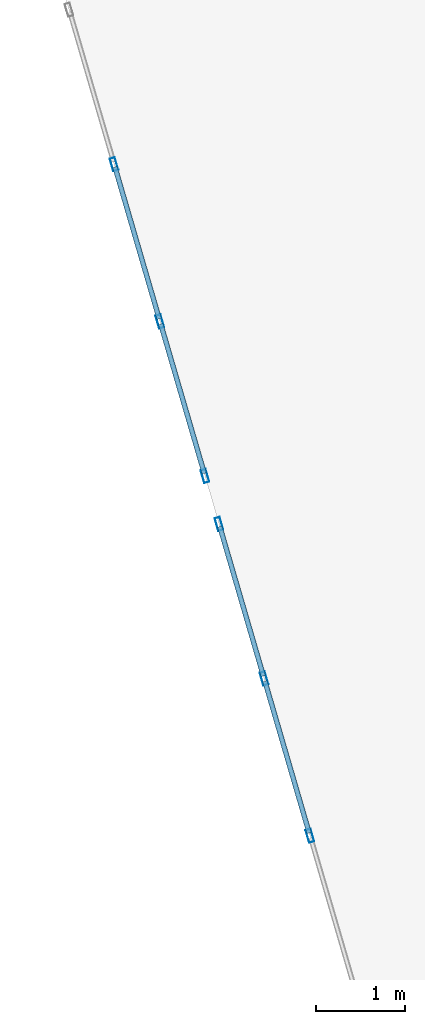
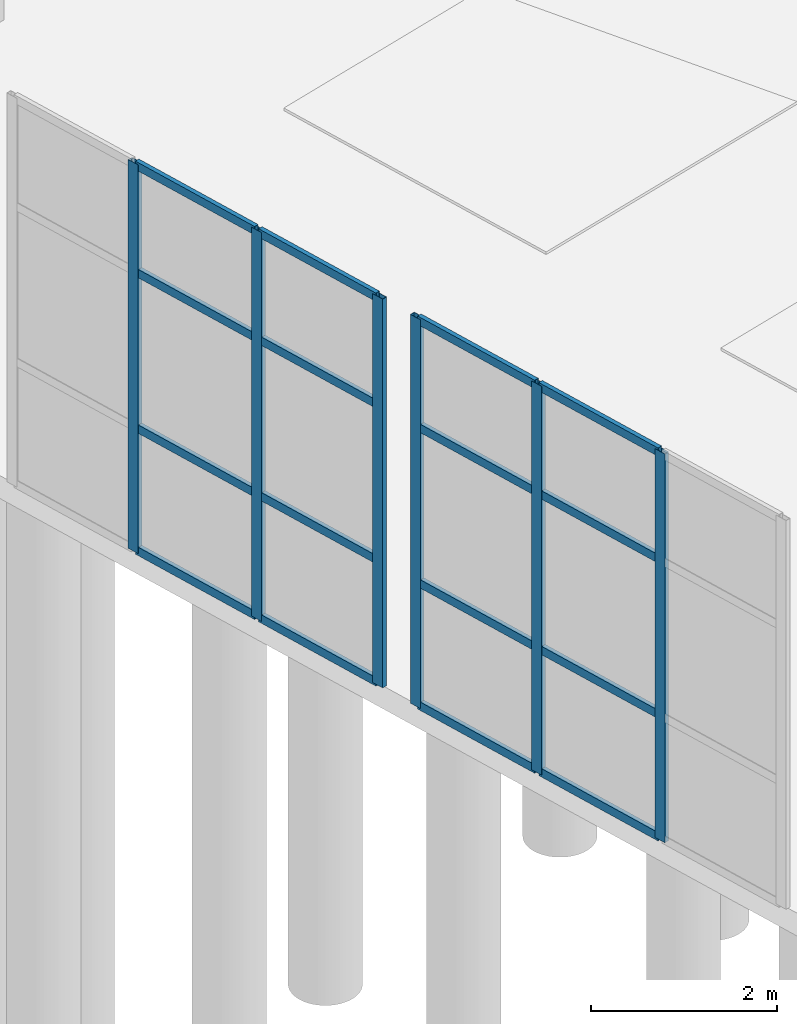
# One storey, part 27 of 90: 22 members, 2 elements without a shape of their own.
"""IFC4 building model written with IfcOpenShell, lengths in metres."""

from ifc_helpers import new_model, si_unit, direction, frame, origin, origin_2d, place, context, subcontext, project, spatial, hollow_rectangle, extrude, material, layer, layer_set, material_profile, profile_set, type_object, element, aggregate, save


model = new_model("IFC4")

# Units and contexts
model_context = context("Model", 3, precision=1e-05, world=origin(), true_north=direction((0.0, 1.0)))
body_context = subcontext(model_context, "Body", "Model", "MODEL_VIEW")
ifc_project = project(units=[si_unit("LENGTHUNIT", "METRE"), si_unit("AREAUNIT", "SQUARE_METRE"), si_unit("VOLUMEUNIT", "CUBIC_METRE"), si_unit("PLANEANGLEUNIT", "RADIAN"), si_unit("MASSUNIT", "GRAM", prefix="KILO")], contexts=[model_context])

# Site, building, storey
site_placement = place(None, origin())
site = spatial("IfcSite", under=ifc_project, at=site_placement, CompositionType="ELEMENT")
building_placement = place(site_placement, origin())
building = spatial("IfcBuilding", under=site, at=building_placement, Name="Canggui Botanical Conservatory", CompositionType="ELEMENT")
storey_placement = place(building_placement, origin())
storey = spatial("IfcBuildingStorey", under=building, at=storey_placement, Name="L01", CompositionType="ELEMENT", Elevation=0.0)

# Curtain wall, members
ifc_material = material(Name="Thermally Broken Aluminium", Category="aluminium")
ifc_layer = layer(ifc_material, 0.14990234375, Name="Thermally Broken Aluminium", Category="aluminium")
ifc_layer_set = layer_set([ifc_layer], Name="Thermally Broken Aluminium")
curtain_wall_type = type_object("IfcCurtainWallType", Name="CW-UNIT-C", PredefinedType="USERDEFINED", material=ifc_layer_set)
curtain_wall_1_placement = place(storey_placement, origin())
curtain_wall_1 = element("IfcCurtainWall", 1, at=curtain_wall_1_placement, inside=storey, type_object=curtain_wall_type, Name="Facade Curtain Wall CW-CONS-GABLE-S-02", ObjectType="UNITISED CURTAIN WALL", PredefinedType="USERDEFINED")
ifc_material_profile_1 = material_profile(ifc_material, hollow_rectangle(XDim=0.06005859375, YDim=0.14990234375, WallThickness=0.00341796875, at=origin_2d()), Name="CWM 60x150x3.5")
ifc_profile_set_1 = profile_set([ifc_material_profile_1], Name="Thermally Broken Aluminium")
member_type_1 = type_object("IfcMemberType", Name="CWM-03", PredefinedType="MULLION", material=ifc_profile_set_1)
member_1_placement = place(storey_placement, frame((17.736572265625, 49.760009765625, 0.0), z_axis=(0.0, 0.0, 1.0), x_axis=(-0.960000000002, -0.279999999995, 0.0)))
member_1 = element("IfcMember", 2, at=member_1_placement, type_object=member_type_1, Name="CW-03 mullion 2", PredefinedType="MULLION", context=body_context, shape_type="SweptSolid", body=[
    extrude(hollow_rectangle(XDim=0.06005859375, YDim=0.14990234375, WallThickness=0.00341796875, at=origin_2d()), origin(), (0.0, 0.0, 1.0), 5.10009765625),
])
member_2_placement = place(storey_placement, frame((17.223388671875, 51.52001953125, 0.0), z_axis=(0.0, 0.0, 1.0), x_axis=(-0.960000000002, -0.279999999995, 0.0)))
member_2 = element("IfcMember", 3, at=member_2_placement, type_object=member_type_1, Name="CW-03 mullion 3", PredefinedType="MULLION", context=body_context, shape_type="SweptSolid", body=[
    extrude(hollow_rectangle(XDim=0.06005859375, YDim=0.14990234375, WallThickness=0.00341796875, at=origin_2d()), origin(), (0.0, 0.0, 1.0), 5.10009765625),
])
member_3_placement = place(storey_placement, frame((16.718505859375, 53.251220703125, 0.0), z_axis=(0.0, 0.0, 1.0), x_axis=(-0.960000000002, -0.279999999995, 0.0)))
member_3 = element("IfcMember", 4, at=member_3_placement, type_object=member_type_1, Name="CW-03 mullion 4", PredefinedType="MULLION", context=body_context, shape_type="SweptSolid", body=[
    extrude(hollow_rectangle(XDim=0.06005859375, YDim=0.14990234375, WallThickness=0.00341796875, at=origin_2d()), origin(), (0.0, 0.0, 1.0), 5.10009765625),
])

curtain_wall_2_placement = place(storey_placement, origin())
curtain_wall_2 = element("IfcCurtainWall", 5, at=curtain_wall_2_placement, inside=storey, type_object=curtain_wall_type, Name="Facade Curtain Wall CW-CONS-GABLE-S-03", ObjectType="UNITISED CURTAIN WALL", PredefinedType="USERDEFINED")
member_4_placement = place(storey_placement, frame((16.5615234375, 53.788818359375, 0.0), z_axis=(0.0, 0.0, 1.0), x_axis=(-0.960000000002, -0.279999999995, 0.0)))
member_4 = element("IfcMember", 6, at=member_4_placement, type_object=member_type_1, Name="CW-03 mullion 1", PredefinedType="MULLION", context=body_context, shape_type="SweptSolid", body=[
    extrude(hollow_rectangle(XDim=0.06005859375, YDim=0.14990234375, WallThickness=0.00341796875, at=origin_2d()), origin(), (0.0, 0.0, 1.0), 5.10009765625),
])
member_5_placement = place(storey_placement, frame((16.056640625, 55.52001953125, 0.0), z_axis=(0.0, 0.0, 1.0), x_axis=(-0.960000000002, -0.279999999995, 0.0)))
member_5 = element("IfcMember", 7, at=member_5_placement, type_object=member_type_1, Name="CW-03 mullion 2", PredefinedType="MULLION", context=body_context, shape_type="SweptSolid", body=[
    extrude(hollow_rectangle(XDim=0.06005859375, YDim=0.14990234375, WallThickness=0.00341796875, at=origin_2d()), origin(), (0.0, 0.0, 1.0), 5.10009765625),
])
member_6_placement = place(storey_placement, frame((15.543212890625, 57.280029296875, 0.0), z_axis=(0.0, 0.0, 1.0), x_axis=(-0.960000000002, -0.279999999995, 0.0)))
member_6 = element("IfcMember", 8, at=member_6_placement, type_object=member_type_1, Name="CW-03 mullion 3", PredefinedType="MULLION", context=body_context, shape_type="SweptSolid", body=[
    extrude(hollow_rectangle(XDim=0.06005859375, YDim=0.14990234375, WallThickness=0.00341796875, at=origin_2d()), origin(), (0.0, 0.0, 1.0), 5.10009765625),
])

# Member
ifc_material_profile_2 = material_profile(ifc_material, hollow_rectangle(XDim=0.054931640625, YDim=0.110107421875, WallThickness=0.0029296875, at=origin_2d()), Name="CWT 55x110x3")
ifc_profile_set_2 = profile_set([ifc_material_profile_2], Name="Thermally Broken Aluminium")
member_type_2 = type_object("IfcMemberType", Name="CWT-03", PredefinedType="USERDEFINED", material=ifc_profile_set_2)
member_7_placement = place(storey_placement, frame((17.728271484375, 49.788818359375, 0.027587890625), z_axis=(-0.280026433067, 0.95999228996, 0.0), x_axis=(-0.95999228996, -0.280026433067, 0.0)))
member_7 = element("IfcMember", 9, at=member_7_placement, type_object=member_type_2, Name="CW-03 transom 2.1", ObjectType="TRANSOM", PredefinedType="USERDEFINED", context=body_context, shape_type="SweptSolid", body=[
    extrude(hollow_rectangle(XDim=0.054931640625, YDim=0.110107421875, WallThickness=0.0029296875, at=origin_2d()), origin(), (0.0, 0.0, 1.0), 1.7734375),
])

member_8_placement = place(storey_placement, frame((17.728271484375, 49.788818359375, 1.632080078125), z_axis=(-0.280026433067, 0.95999228996, 0.0), x_axis=(-0.95999228996, -0.280026433067, 0.0)))
member_8 = element("IfcMember", 10, at=member_8_placement, type_object=member_type_2, Name="CW-03 transom 2.2", ObjectType="TRANSOM", PredefinedType="USERDEFINED", context=body_context, shape_type="SweptSolid", body=[
    extrude(hollow_rectangle(XDim=0.054931640625, YDim=0.110107421875, WallThickness=0.0029296875, at=origin_2d()), origin(), (0.0, 0.0, 1.0), 1.7734375),
])

member_9_placement = place(storey_placement, frame((17.728271484375, 49.788818359375, 3.672119140625), z_axis=(-0.280026433067, 0.95999228996, 0.0), x_axis=(-0.95999228996, -0.280026433067, 0.0)))
member_9 = element("IfcMember", 11, at=member_9_placement, type_object=member_type_2, Name="CW-03 transom 2.3", ObjectType="TRANSOM", PredefinedType="USERDEFINED", context=body_context, shape_type="SweptSolid", body=[
    extrude(hollow_rectangle(XDim=0.054931640625, YDim=0.110107421875, WallThickness=0.0029296875, at=origin_2d()), origin(), (0.0, 0.0, 1.0), 1.7734375),
])

member_10_placement = place(storey_placement, frame((17.728271484375, 49.788818359375, 5.072509765625), z_axis=(-0.280026433067, 0.95999228996, 0.0), x_axis=(-0.95999228996, -0.280026433067, 0.0)))
member_10 = element("IfcMember", 12, at=member_10_placement, type_object=member_type_2, Name="CW-03 transom 2.4", ObjectType="TRANSOM", PredefinedType="USERDEFINED", context=body_context, shape_type="SweptSolid", body=[
    extrude(hollow_rectangle(XDim=0.054931640625, YDim=0.110107421875, WallThickness=0.0029296875, at=origin_2d()), origin(), (0.0, 0.0, 1.0), 1.7734375),
])

member_11_placement = place(storey_placement, frame((17.21484375, 51.548828125, 0.027587890625), z_axis=(-0.279951599808, 0.960014115399, 0.0), x_axis=(-0.960014115399, -0.279951599808, 0.0)))
member_11 = element("IfcMember", 13, at=member_11_placement, type_object=member_type_2, Name="CW-03 transom 3.1", ObjectType="TRANSOM", PredefinedType="USERDEFINED", context=body_context, shape_type="SweptSolid", body=[
    extrude(hollow_rectangle(XDim=0.054931640625, YDim=0.110107421875, WallThickness=0.0029296875, at=origin_2d()), origin(), (0.0, 0.0, 1.0), 1.743408203125),
])

member_12_placement = place(storey_placement, frame((17.21484375, 51.548828125, 1.632080078125), z_axis=(-0.279951599808, 0.960014115399, 0.0), x_axis=(-0.960014115399, -0.279951599808, 0.0)))
member_12 = element("IfcMember", 14, at=member_12_placement, type_object=member_type_2, Name="CW-03 transom 3.2", ObjectType="TRANSOM", PredefinedType="USERDEFINED", context=body_context, shape_type="SweptSolid", body=[
    extrude(hollow_rectangle(XDim=0.054931640625, YDim=0.110107421875, WallThickness=0.0029296875, at=origin_2d()), origin(), (0.0, 0.0, 1.0), 1.743408203125),
])

member_13_placement = place(storey_placement, frame((17.21484375, 51.548828125, 3.672119140625), z_axis=(-0.279951599808, 0.960014115399, 0.0), x_axis=(-0.960014115399, -0.279951599808, 0.0)))
member_13 = element("IfcMember", 15, at=member_13_placement, type_object=member_type_2, Name="CW-03 transom 3.3", ObjectType="TRANSOM", PredefinedType="USERDEFINED", context=body_context, shape_type="SweptSolid", body=[
    extrude(hollow_rectangle(XDim=0.054931640625, YDim=0.110107421875, WallThickness=0.0029296875, at=origin_2d()), origin(), (0.0, 0.0, 1.0), 1.743408203125),
])

member_14_placement = place(storey_placement, frame((17.21484375, 51.548828125, 5.072509765625), z_axis=(-0.279951599808, 0.960014115399, 0.0), x_axis=(-0.960014115399, -0.279951599808, 0.0)))
member_14 = element("IfcMember", 16, at=member_14_placement, type_object=member_type_2, Name="CW-03 transom 3.4", ObjectType="TRANSOM", PredefinedType="USERDEFINED", context=body_context, shape_type="SweptSolid", body=[
    extrude(hollow_rectangle(XDim=0.054931640625, YDim=0.110107421875, WallThickness=0.0029296875, at=origin_2d()), origin(), (0.0, 0.0, 1.0), 1.743408203125),
])

aggregate(curtain_wall_1, [member_1, member_2, member_3, member_7, member_8, member_9, member_10, member_11, member_12, member_13, member_14])

member_15_placement = place(storey_placement, frame((16.55322265625, 53.817626953125, 0.027587890625), z_axis=(-0.279951599808, 0.960014115399, 0.0), x_axis=(-0.960014115399, -0.279951599808, 0.0)))
member_15 = element("IfcMember", 17, at=member_15_placement, type_object=member_type_2, Name="CW-03 transom 1.1", ObjectType="TRANSOM", PredefinedType="USERDEFINED", context=body_context, shape_type="SweptSolid", body=[
    extrude(hollow_rectangle(XDim=0.054931640625, YDim=0.110107421875, WallThickness=0.0029296875, at=origin_2d()), origin(), (0.0, 0.0, 1.0), 1.743408203125),
])

member_16_placement = place(storey_placement, frame((16.55322265625, 53.817626953125, 1.632080078125), z_axis=(-0.279951599808, 0.960014115399, 0.0), x_axis=(-0.960014115399, -0.279951599808, 0.0)))
member_16 = element("IfcMember", 18, at=member_16_placement, type_object=member_type_2, Name="CW-03 transom 1.2", ObjectType="TRANSOM", PredefinedType="USERDEFINED", context=body_context, shape_type="SweptSolid", body=[
    extrude(hollow_rectangle(XDim=0.054931640625, YDim=0.110107421875, WallThickness=0.0029296875, at=origin_2d()), origin(), (0.0, 0.0, 1.0), 1.743408203125),
])

member_17_placement = place(storey_placement, frame((16.55322265625, 53.817626953125, 3.672119140625), z_axis=(-0.279951599808, 0.960014115399, 0.0), x_axis=(-0.960014115399, -0.279951599808, 0.0)))
member_17 = element("IfcMember", 19, at=member_17_placement, type_object=member_type_2, Name="CW-03 transom 1.3", ObjectType="TRANSOM", PredefinedType="USERDEFINED", context=body_context, shape_type="SweptSolid", body=[
    extrude(hollow_rectangle(XDim=0.054931640625, YDim=0.110107421875, WallThickness=0.0029296875, at=origin_2d()), origin(), (0.0, 0.0, 1.0), 1.743408203125),
])

member_18_placement = place(storey_placement, frame((16.55322265625, 53.817626953125, 5.072509765625), z_axis=(-0.279951599808, 0.960014115399, 0.0), x_axis=(-0.960014115399, -0.279951599808, 0.0)))
member_18 = element("IfcMember", 20, at=member_18_placement, type_object=member_type_2, Name="CW-03 transom 1.4", ObjectType="TRANSOM", PredefinedType="USERDEFINED", context=body_context, shape_type="SweptSolid", body=[
    extrude(hollow_rectangle(XDim=0.054931640625, YDim=0.110107421875, WallThickness=0.0029296875, at=origin_2d()), origin(), (0.0, 0.0, 1.0), 1.743408203125),
])

member_19_placement = place(storey_placement, frame((16.04833984375, 55.548828125, 0.027587890625), z_axis=(-0.280026433067, 0.95999228996, 0.0), x_axis=(-0.95999228996, -0.280026433067, 0.0)))
member_19 = element("IfcMember", 21, at=member_19_placement, type_object=member_type_2, Name="CW-03 transom 2.1", ObjectType="TRANSOM", PredefinedType="USERDEFINED", context=body_context, shape_type="SweptSolid", body=[
    extrude(hollow_rectangle(XDim=0.054931640625, YDim=0.110107421875, WallThickness=0.0029296875, at=origin_2d()), origin(), (0.0, 0.0, 1.0), 1.7734375),
])

member_20_placement = place(storey_placement, frame((16.04833984375, 55.548828125, 1.632080078125), z_axis=(-0.280026433067, 0.95999228996, 0.0), x_axis=(-0.95999228996, -0.280026433067, 0.0)))
member_20 = element("IfcMember", 22, at=member_20_placement, type_object=member_type_2, Name="CW-03 transom 2.2", ObjectType="TRANSOM", PredefinedType="USERDEFINED", context=body_context, shape_type="SweptSolid", body=[
    extrude(hollow_rectangle(XDim=0.054931640625, YDim=0.110107421875, WallThickness=0.0029296875, at=origin_2d()), origin(), (0.0, 0.0, 1.0), 1.7734375),
])

member_21_placement = place(storey_placement, frame((16.04833984375, 55.548828125, 3.672119140625), z_axis=(-0.280026433067, 0.95999228996, 0.0), x_axis=(-0.95999228996, -0.280026433067, 0.0)))
member_21 = element("IfcMember", 23, at=member_21_placement, type_object=member_type_2, Name="CW-03 transom 2.3", ObjectType="TRANSOM", PredefinedType="USERDEFINED", context=body_context, shape_type="SweptSolid", body=[
    extrude(hollow_rectangle(XDim=0.054931640625, YDim=0.110107421875, WallThickness=0.0029296875, at=origin_2d()), origin(), (0.0, 0.0, 1.0), 1.7734375),
])

member_22_placement = place(storey_placement, frame((16.04833984375, 55.548828125, 5.072509765625), z_axis=(-0.280026433067, 0.95999228996, 0.0), x_axis=(-0.95999228996, -0.280026433067, 0.0)))
member_22 = element("IfcMember", 24, at=member_22_placement, type_object=member_type_2, Name="CW-03 transom 2.4", ObjectType="TRANSOM", PredefinedType="USERDEFINED", context=body_context, shape_type="SweptSolid", body=[
    extrude(hollow_rectangle(XDim=0.054931640625, YDim=0.110107421875, WallThickness=0.0029296875, at=origin_2d()), origin(), (0.0, 0.0, 1.0), 1.7734375),
])

aggregate(curtain_wall_2, [member_4, member_5, member_6, member_15, member_16, member_17, member_18, member_19, member_20, member_21, member_22])

save(model, "model.ifc")
